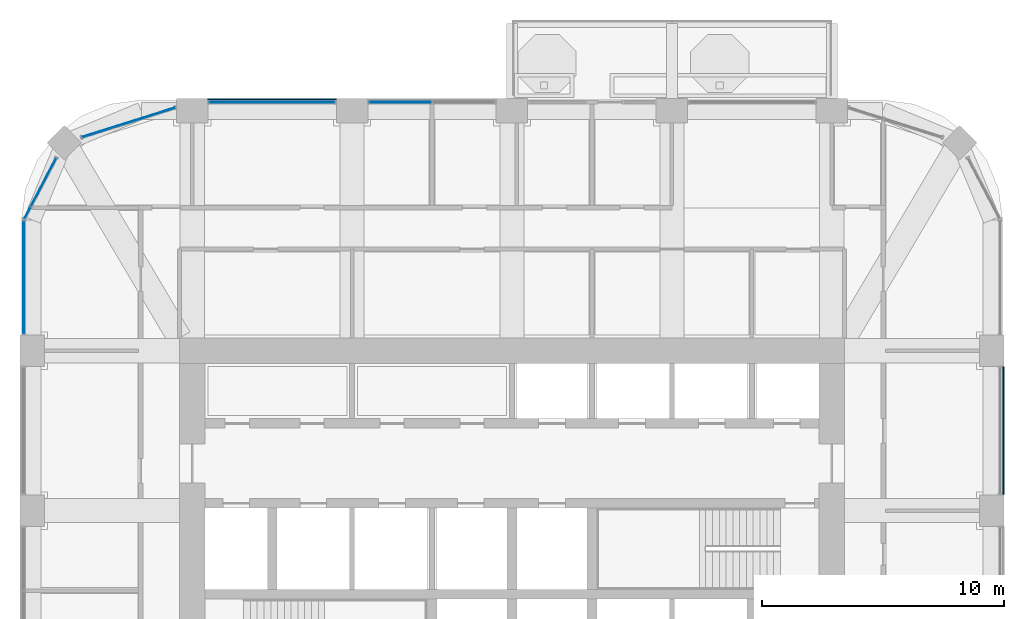
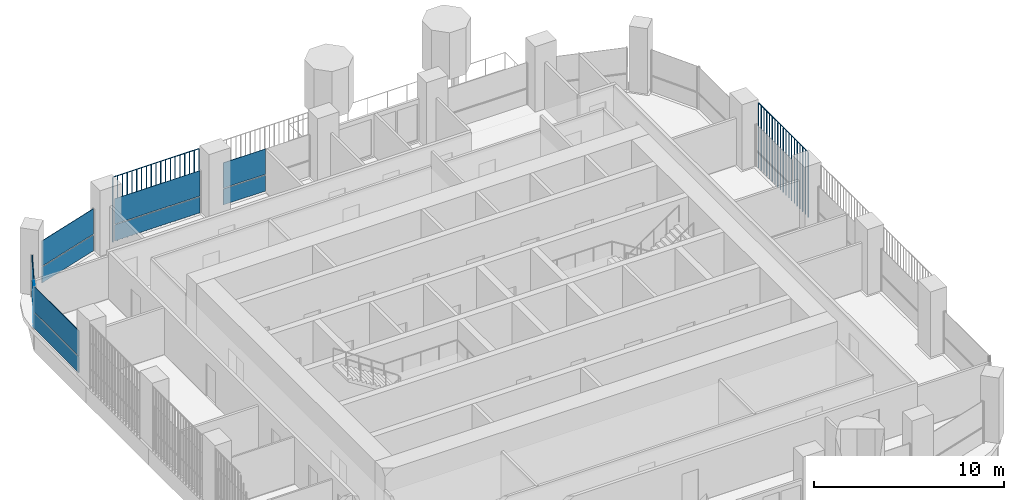
# One storey, part 12 of 21: 14 plates, 5 elements without a shape of their own.
"""IFC4 building model written with IfcOpenShell, lengths in metres."""

import ifcopenshell
import ifcopenshell.guid

model = None  # the IFC model being written
_history = None  # IfcOwnerHistory: only IFC2X3 demands one
_inside = {}  # id of a spatial element -> (the spatial element, [elements in it])
_under = {}  # id of a project, library or spatial element -> (it, [spatial elements below it])
_declared = {}  # id of a project -> (the project, [libraries it declares])
_typed = {}  # id of a type object -> (the type object, [elements of that type])
_made_of = {}  # id of a material, layer set ... -> (it, [elements and type objects made of it])


def new_model(schema):
    """Start an empty IFC model of exactly this schema.

    Asked for "IFC4X3", IfcOpenShell would pick the latest addendum, in which some entities
    have other attributes; the version numbers below select the first issue.
    IFC2X3 requires an IfcOwnerHistory on every rooted entity: one is made here for all.
    """
    global model, _history
    if schema == "IFC4X3":
        model = ifcopenshell.file(schema_version=(4, 3, 0, 0))
    else:
        model = ifcopenshell.file(schema=schema)
    _inside.clear()
    _under.clear()
    _declared.clear()
    _typed.clear()
    _made_of.clear()
    _history = None
    if model.schema == "IFC2X3":
        org = make("IfcOrganization", Name="unknown")
        user = make(
            "IfcPersonAndOrganization",
            ThePerson=make("IfcPerson", FamilyName="unknown"),
            TheOrganization=org,
        )
        app = make(
            "IfcApplication",
            ApplicationDeveloper=org,
            Version="unknown",
            ApplicationFullName="unknown",
            ApplicationIdentifier="unknown",
        )
        _history = make(
            "IfcOwnerHistory",
            OwningUser=user,
            OwningApplication=app,
            ChangeAction="ADDED",
            CreationDate=0,
        )
    return model


def make(cls, **values):
    """One entity of the class cls with the attributes given. An attribute that is None is left unset."""
    return model.create_entity(
        cls, **{name: value for name, value in values.items() if value is not None}
    )


def rooted(cls, **values):
    """An entity with a GlobalId (a new one), such as an element, a storey or a relation."""
    return make(cls, GlobalId=ifcopenshell.guid.new(), OwnerHistory=_history, **values)


def si_unit(unit_type, name, prefix=None):
    """IfcSIUnit, for example si_unit("LENGTHUNIT", "METRE", prefix="MILLI")."""
    return make("IfcSIUnit", UnitType=unit_type, Prefix=prefix, Name=name)


def assignment(units):
    """IfcUnitAssignment: the units of a project."""
    return None if units is None else make("IfcUnitAssignment", Units=units)


def point(xyz):
    """IfcCartesianPoint."""
    return None if xyz is None else make("IfcCartesianPoint", Coordinates=xyz)


def direction(xyz):
    """IfcDirection."""
    return None if xyz is None else make("IfcDirection", DirectionRatios=xyz)


def frame(location, z_axis=None, x_axis=None):
    """IfcAxis2Placement3D, a coordinate frame: its origin and axes. An axis left out is left unset."""
    return make(
        "IfcAxis2Placement3D",
        Location=point(location),
        Axis=direction(z_axis),
        RefDirection=direction(x_axis),
    )


def frame_2d(location, x_axis=None):
    """IfcAxis2Placement2D, a coordinate frame in the plane: its origin and x axis."""
    return make(
        "IfcAxis2Placement2D", Location=point(location), RefDirection=direction(x_axis)
    )


def origin():
    """The frame at (0, 0, 0) with its axes left unset."""
    return frame((0.0, 0.0, 0.0))


def origin_2d():
    """The frame at (0, 0) in the plane with its x axis left unset."""
    return frame_2d((0.0, 0.0))


def place(relative_to, where):
    """IfcLocalPlacement: puts the frame where relative to a parent placement (None: the world)."""
    return make(
        "IfcLocalPlacement", PlacementRelTo=relative_to, RelativePlacement=where
    )


def context(
    kind, dimensions, precision=None, world=None, true_north=None, identifier=None
):
    """IfcGeometricRepresentationContext, for example the 3D "Model" context."""
    return make(
        "IfcGeometricRepresentationContext",
        ContextIdentifier=identifier,
        ContextType=kind,
        CoordinateSpaceDimension=dimensions,
        Precision=precision,
        WorldCoordinateSystem=world,
        TrueNorth=true_north,
    )


def subcontext(parent, identifier, kind, view, scale=None):
    """IfcGeometricRepresentationSubContext, for example "Body" below "Model"."""
    return make(
        "IfcGeometricRepresentationSubContext",
        ContextIdentifier=identifier,
        ContextType=kind,
        ParentContext=parent,
        TargetScale=scale,
        TargetView=view,
    )


def project(units=None, contexts=None):
    """IfcProject with its units and contexts."""
    return rooted(
        "IfcProject",
        Name="project",
        RepresentationContexts=contexts,
        UnitsInContext=assignment(units),
    )


def spatial(cls, under=None, at=None, **own):
    """A site, building, storey or space (cls), placed at a placement, below another one or the project."""
    s = rooted(cls, ObjectPlacement=at, **own)
    if under is not None:
        _under.setdefault(under.id(), (under, []))[1].append(s)
    return s


def polyline(points):
    """IfcPolyline through the points."""
    return make("IfcPolyline", Points=[point(p) for p in points])


def profile(cls, at=None, kind="AREA", **sizes):
    """A parametric profile (cls). Its sizes go by their IFC names, for example OverallWidth=200.0."""
    return make(cls, ProfileType=kind, Position=at, **sizes)


def rectangle(**sizes):
    """IfcRectangleProfileDef."""
    return profile("IfcRectangleProfileDef", **sizes)


def outline(outer, holes=None, kind="AREA"):
    """IfcArbitraryClosedProfileDef: a profile drawn as a closed curve; with holes, ...WithVoids."""
    if holes is None:
        return make("IfcArbitraryClosedProfileDef", ProfileType=kind, OuterCurve=outer)
    return make(
        "IfcArbitraryProfileDefWithVoids",
        ProfileType=kind,
        OuterCurve=outer,
        InnerCurves=holes,
    )


def extrude(swept, where, along, depth):
    """IfcExtrudedAreaSolid: the profile swept, set in the frame where, extruded along a direction by depth."""
    return make(
        "IfcExtrudedAreaSolid",
        SweptArea=swept,
        Position=where,
        ExtrudedDirection=direction(along),
        Depth=depth,
    )


def shape(context_of_items, identifier, shape_type, items):
    """IfcShapeRepresentation: the items that make up one representation, for example the "Body"."""
    return make(
        "IfcShapeRepresentation",
        ContextOfItems=context_of_items,
        RepresentationIdentifier=identifier,
        RepresentationType=shape_type,
        Items=items,
    )


def material(Name=None, Category=None):
    """IfcMaterial."""
    return make("IfcMaterial", Name=Name, Category=Category)


def layer(
    of_material, thickness, ventilated=None, Name=None, Category=None, Priority=None
):
    """IfcMaterialLayer: one layer of a wall or slab, of a material (None: an air gap)."""
    return make(
        "IfcMaterialLayer",
        Material=of_material,
        LayerThickness=thickness,
        IsVentilated=ventilated,
        Name=Name,
        Category=Category,
        Priority=Priority,
    )


def layer_set(layers, Name=None):
    """IfcMaterialLayerSet."""
    return make("IfcMaterialLayerSet", MaterialLayers=layers, LayerSetName=Name)


def made_of(thing, what):
    """Note that an element or type object is made of a material, layer set ...; save() writes the relation."""
    if what is not None:
        _made_of.setdefault(what.id(), (what, []))[1].append(thing)
    return thing


def type_object(cls, material=None, **own):
    """A type object (cls), such as IfcWallType, which elements share."""
    return made_of(rooted(cls, **own), material)


def element(
    cls,
    number,
    at=None,
    inside=None,
    cuts=None,
    type_object=None,
    material=None,
    context=None,
    identifier="Body",
    shape_type=None,
    held_by="IfcProductDefinitionShape",
    body=None,
    shapes=None,
    **own,
):
    """One element of the class cls, such as IfcWall. Its Tag is "e" and its number.

    at: its placement. inside: the storey or other place that contains it. cuts: it is an
    opening in that element (IfcRelVoidsElement). A single representation is given by context,
    identifier, shape_type and body (its items); several are given by shapes. held_by: the class
    of the entity that holds the representations. save() writes the other relations.
    """
    e = rooted(cls, Tag="e%d" % number, ObjectPlacement=at, **own)
    if body is not None:
        shapes = [shape(context, identifier, shape_type, body)]
    if shapes is not None:
        e.Representation = make(held_by, Representations=shapes)
    if inside is not None:
        _inside.setdefault(inside.id(), (inside, []))[1].append(e)
    if cuts is not None:
        rooted(
            "IfcRelVoidsElement", RelatingBuildingElement=cuts, RelatedOpeningElement=e
        )
    if type_object is not None:
        _typed.setdefault(type_object.id(), (type_object, []))[1].append(e)
    return made_of(e, material)


def aggregate(whole, parts):
    """IfcRelAggregates: a whole, such as a stair, and the parts it consists of."""
    return rooted("IfcRelAggregates", RelatingObject=whole, RelatedObjects=parts)


def save(model, path):
    """Write the relations noted so far, then the file.

    IfcRelAggregates (storeys below a building ...), IfcRelContainedInSpatialStructure (elements
    in a storey), IfcRelDefinesByType, IfcRelAssociatesMaterial and IfcRelDeclares: one each for
    every whole, place, type object, material and project.
    """
    for whole, parts in _under.values():
        aggregate(whole, parts)
    for where, things in _inside.values():
        rooted(
            "IfcRelContainedInSpatialStructure",
            RelatedElements=things,
            RelatingStructure=where,
        )
    for kind, things in _typed.values():
        rooted("IfcRelDefinesByType", RelatedObjects=things, RelatingType=kind)
    for what, things in _made_of.values():
        rooted("IfcRelAssociatesMaterial", RelatedObjects=things, RelatingMaterial=what)
    for by, libraries in _declared.values():
        rooted("IfcRelDeclares", RelatingContext=by, RelatedDefinitions=libraries)
    model.write(path)


model = new_model("IFC4")

# Units and contexts
model_context = context("Model", 3, precision=1e-05, world=origin(), true_north=direction((0.0, 1.0)))
body_context = subcontext(model_context, "Body", "Model", "MODEL_VIEW")
ifc_project = project(units=[si_unit("LENGTHUNIT", "METRE"), si_unit("AREAUNIT", "SQUARE_METRE"), si_unit("VOLUMEUNIT", "CUBIC_METRE"), si_unit("PLANEANGLEUNIT", "RADIAN"), si_unit("MASSUNIT", "GRAM", prefix="KILO")], contexts=[model_context])

# Site, building, storey
site_placement = place(None, origin())
site = spatial("IfcSite", under=ifc_project, at=site_placement, CompositionType="ELEMENT")
building_placement = place(site_placement, origin())
building = spatial("IfcBuilding", under=site, at=building_placement, Name="Cobogo Forest Laboratory Tower", CompositionType="ELEMENT")
storey_placement = place(building_placement, frame((0.0, 0.0, 241.800048828125)))
storey = spatial("IfcBuildingStorey", under=building, at=storey_placement, Name="L55", CompositionType="ELEMENT", Elevation=241.800048828125)

# Curtain wall, plates
ifc_material_1 = material(Name="Aluminium curtain wall", Category="aluminium")
curtain_wall_type = type_object("IfcCurtainWallType", Name="CW-2 unitised curtain wall, solar control glazing, laboratory floors zones C and D", PredefinedType="USERDEFINED", material=ifc_material_1)
curtain_wall_1_placement = place(storey_placement, origin())
curtain_wall_1 = element("IfcCurtainWall", 1, at=curtain_wall_1_placement, inside=storey, type_object=curtain_wall_type, Name="Curtain wall 16 L55", ObjectType="UNITISED CURTAIN WALL", PredefinedType="USERDEFINED")
ifc_material_2 = material(Name="Solar control insulated glass", Category="glass")
ifc_layer = layer(ifc_material_2, 0.031982421875)
ifc_layer_set = layer_set([ifc_layer], Name="GP-2 solar control glass unit 32")
plate_type_1 = type_object("IfcPlateType", Name="GP-2 solar control glass unit 32", PredefinedType="CURTAIN_PANEL", material=ifc_layer_set)
plate_1_placement = place(storey_placement, frame((21.7900390625, 43.25, 0.0), z_axis=(0.0, 0.0, 1.0), x_axis=(-1.0, 0.0, 0.0)))
plate_1 = element("IfcPlate", 2, at=plate_1_placement, type_object=plate_type_1, Name="CW-2 panel 2.1", PredefinedType="CURTAIN_PANEL", context=body_context, shape_type="SweptSolid", body=[
    extrude(rectangle(XDim=2.56005859375, YDim=0.031982421875, at=origin_2d()), origin(), (0.0, 0.0, 1.0), 1.02001953125),
])
plate_2_placement = place(storey_placement, frame((21.7900390625, 43.25, 1.079833984375), z_axis=(0.0, 0.0, 1.0), x_axis=(-1.0, 0.0, 0.0)))
plate_2 = element("IfcPlate", 3, at=plate_2_placement, type_object=plate_type_1, Name="CW-2 panel 2.2", PredefinedType="CURTAIN_PANEL", context=body_context, shape_type="SweptSolid", body=[
    extrude(rectangle(XDim=2.56005859375, YDim=0.031982421875, at=origin_2d()), origin(), (0.0, 0.0, 1.0), 1.6201171875),
])
aggregate(curtain_wall_1, [plate_1, plate_2])

curtain_wall_2_placement = place(storey_placement, origin())
curtain_wall_2 = element("IfcCurtainWall", 4, at=curtain_wall_2_placement, inside=storey, type_object=curtain_wall_type, Name="Curtain wall 17 L55", ObjectType="UNITISED CURTAIN WALL", PredefinedType="USERDEFINED")
plate_3_placement = place(storey_placement, frame((16.5, 43.25, 0.0), z_axis=(0.0, 0.0, 1.0), x_axis=(-1.0, 0.0, 0.0)))
plate_3 = element("IfcPlate", 5, at=plate_3_placement, type_object=plate_type_1, Name="CW-2 panel 1.1", PredefinedType="CURTAIN_PANEL", context=body_context, shape_type="SweptSolid", body=[
    extrude(rectangle(XDim=5.179931640625, YDim=0.031982421875, at=origin_2d()), origin(), (0.0, 0.0, 1.0), 1.02001953125),
])
plate_4_placement = place(storey_placement, frame((16.5, 43.25, 1.079833984375), z_axis=(0.0, 0.0, 1.0), x_axis=(-1.0, 0.0, 0.0)))
plate_4 = element("IfcPlate", 6, at=plate_4_placement, type_object=plate_type_1, Name="CW-2 panel 1.2", PredefinedType="CURTAIN_PANEL", context=body_context, shape_type="SweptSolid", body=[
    extrude(rectangle(XDim=5.179931640625, YDim=0.031982421875, at=origin_2d()), origin(), (0.0, 0.0, 1.0), 1.6201171875),
])
aggregate(curtain_wall_2, [plate_3, plate_4])

curtain_wall_3_placement = place(storey_placement, origin())
curtain_wall_3 = element("IfcCurtainWall", 7, at=curtain_wall_3_placement, inside=storey, type_object=curtain_wall_type, Name="Curtain wall 18 L55", ObjectType="UNITISED CURTAIN WALL", PredefinedType="USERDEFINED")
plate_5_placement = place(storey_placement, frame((10.572509765625, 42.420166015625, 0.0), z_axis=(0.0, 0.0, 1.0), x_axis=(-0.953581386052, -0.301135418334, 0.0)))
plate_5 = element("IfcPlate", 8, at=plate_5_placement, type_object=plate_type_1, Name="CW-2 panel 1.1", PredefinedType="CURTAIN_PANEL", context=body_context, shape_type="SweptSolid", body=[
    extrude(rectangle(XDim=4.02734375, YDim=0.031982421875, at=origin_2d()), origin(), (0.0, 0.0, 1.0), 1.02001953125),
])
plate_6_placement = place(storey_placement, frame((10.572509765625, 42.420166015625, 1.079833984375), z_axis=(0.0, 0.0, 1.0), x_axis=(-0.953581386052, -0.301135418334, 0.0)))
plate_6 = element("IfcPlate", 9, at=plate_6_placement, type_object=plate_type_1, Name="CW-2 panel 1.2", PredefinedType="CURTAIN_PANEL", context=body_context, shape_type="SweptSolid", body=[
    extrude(rectangle(XDim=4.02734375, YDim=0.031982421875, at=origin_2d()), origin(), (0.0, 0.0, 1.0), 1.6201171875),
])
aggregate(curtain_wall_3, [plate_5, plate_6])

curtain_wall_4_placement = place(storey_placement, origin())
curtain_wall_4 = element("IfcCurtainWall", 10, at=curtain_wall_4_placement, inside=storey, type_object=curtain_wall_type, Name="Curtain wall 19 L55", ObjectType="UNITISED CURTAIN WALL", PredefinedType="USERDEFINED")
plate_7_placement = place(storey_placement, frame((7.064697265625, 39.9541015625, 0.0), z_axis=(0.0, 0.0, 1.0), x_axis=(-0.464283791352, -0.885686491422, 0.0)))
plate_7 = element("IfcPlate", 11, at=plate_7_placement, type_object=plate_type_1, Name="CW-2 panel 1.1", PredefinedType="CURTAIN_PANEL", context=body_context, shape_type="SweptSolid", body=[
    extrude(rectangle(XDim=2.236328125, YDim=0.031982421875, at=origin_2d()), origin(), (0.0, 0.0, 1.0), 1.02001953125),
])
plate_8_placement = place(storey_placement, frame((7.064697265625, 39.9541015625, 1.079833984375), z_axis=(0.0, 0.0, 1.0), x_axis=(-0.464283791352, -0.885686491422, 0.0)))
plate_8 = element("IfcPlate", 12, at=plate_8_placement, type_object=plate_type_1, Name="CW-2 panel 1.2", PredefinedType="CURTAIN_PANEL", context=body_context, shape_type="SweptSolid", body=[
    extrude(rectangle(XDim=2.236328125, YDim=0.031982421875, at=origin_2d()), origin(), (0.0, 0.0, 1.0), 1.6201171875),
])
plate_9_placement = place(storey_placement, frame((6.397705078125, 38.681884765625, 0.0), z_axis=(0.0, 0.0, 1.0), x_axis=(-0.464283791352, -0.885686491422, 0.0)))
plate_9 = element("IfcPlate", 13, at=plate_9_placement, type_object=plate_type_1, Name="CW-2 panel 2.1", PredefinedType="CURTAIN_PANEL", context=body_context, shape_type="SweptSolid", body=[
    extrude(rectangle(XDim=0.516357421875, YDim=0.031982421875, at=origin_2d()), origin(), (0.0, 0.0, 1.0), 1.02001953125),
])
plate_10_placement = place(storey_placement, frame((6.397705078125, 38.681884765625, 1.079833984375), z_axis=(0.0, 0.0, 1.0), x_axis=(-0.464283791352, -0.885686491422, 0.0)))
plate_10 = element("IfcPlate", 14, at=plate_10_placement, type_object=plate_type_1, Name="CW-2 panel 2.2", PredefinedType="CURTAIN_PANEL", context=body_context, shape_type="SweptSolid", body=[
    extrude(rectangle(XDim=0.516357421875, YDim=0.031982421875, at=origin_2d()), origin(), (0.0, 0.0, 1.0), 1.6201171875),
])
aggregate(curtain_wall_4, [plate_7, plate_8, plate_9, plate_10])

curtain_wall_5_placement = place(storey_placement, origin())
curtain_wall_5 = element("IfcCurtainWall", 15, at=curtain_wall_5_placement, inside=storey, type_object=curtain_wall_type, Name="Curtain wall 20 L55", ObjectType="UNITISED CURTAIN WALL", PredefinedType="USERDEFINED")
plate_11_placement = place(storey_placement, frame((6.25, 36.02490234375, 0.0), z_axis=(0.0, 0.0, 1.0), x_axis=(0.0, -1.0, 0.0)))
plate_11 = element("IfcPlate", 16, at=plate_11_placement, type_object=plate_type_1, Name="CW-2 panel 1.1", PredefinedType="CURTAIN_PANEL", context=body_context, shape_type="SweptSolid", body=[
    extrude(rectangle(XDim=4.6298828125, YDim=0.031982421875, at=origin_2d()), origin(), (0.0, 0.0, 1.0), 1.02001953125),
])
plate_12_placement = place(storey_placement, frame((6.25, 36.02490234375, 1.079833984375), z_axis=(0.0, 0.0, 1.0), x_axis=(0.0, -1.0, 0.0)))
plate_12 = element("IfcPlate", 17, at=plate_12_placement, type_object=plate_type_1, Name="CW-2 panel 1.2", PredefinedType="CURTAIN_PANEL", context=body_context, shape_type="SweptSolid", body=[
    extrude(rectangle(XDim=4.6298828125, YDim=0.031982421875, at=origin_2d()), origin(), (0.0, 0.0, 1.0), 1.6201171875),
])
aggregate(curtain_wall_5, [plate_11, plate_12])

# Plates
ifc_material_3 = material(Name="Terracotta", Category="masonry")
plate_type_2 = type_object("IfcPlateType", Name="TB1 terracotta baguette screen", PredefinedType="USERDEFINED", material=ifc_material_3)
plate_13_placement = place(storey_placement, frame((46.677978515625, 27.081298828125, -0.150146484375)))
element("IfcPlate", 18, at=plate_13_placement, inside=storey, type_object=plate_type_2, Name="Baguette screen E3 L55", ObjectType="BAGUETTE SCREEN", PredefinedType="USERDEFINED", context=body_context, shape_type="SweptSolid", body=[
    extrude(outline(polyline([(0.02880859375, 0.011962890625), (0.011962890625, 0.02880859375), (-0.011962890625, 0.02880859375), (-0.02880859375, 0.011962890625), (-0.02880859375, -0.011962890625), (-0.011962890625, -0.02880859375), (0.011962890625, -0.02880859375), (0.02880859375, -0.011962890625), (0.02880859375, 0.011962890625)])), frame((0.0, 0.0, 4.168701171875), z_axis=(0.0, 1.0, 0.0), x_axis=(-1.0, 0.0, 0.0)), (0.0, 0.0, 1.0), 5.237548828125),
    extrude(outline(polyline([(0.02880859375, 0.011962890625), (0.011962890625, 0.02880859375), (-0.011962890625, 0.02880859375), (-0.02880859375, 0.011962890625), (-0.02880859375, -0.011962890625), (-0.011962890625, -0.02880859375), (0.011962890625, -0.02880859375), (0.02880859375, -0.011962890625), (0.02880859375, 0.011962890625)])), origin(), (0.0, 0.0, 1.0), 4.137451171875),
    extrude(outline(polyline([(0.02880859375, 0.011962890625), (0.011962890625, 0.02880859375), (-0.011962890625, 0.02880859375), (-0.02880859375, 0.011962890625), (-0.02880859375, -0.011962890625), (-0.011962890625, -0.02880859375), (0.011962890625, -0.02880859375), (0.02880859375, -0.011962890625), (0.02880859375, 0.011962890625)])), frame((0.0, 0.291015625, 0.0)), (0.0, 0.0, 1.0), 4.137451171875),
    extrude(outline(polyline([(0.02880859375, 0.011962890625), (0.011962890625, 0.02880859375), (-0.011962890625, 0.02880859375), (-0.02880859375, 0.011962890625), (-0.02880859375, -0.011962890625), (-0.011962890625, -0.02880859375), (0.011962890625, -0.02880859375), (0.02880859375, -0.011962890625), (0.02880859375, 0.011962890625)])), frame((0.0, 0.58203125, 0.0)), (0.0, 0.0, 1.0), 4.137451171875),
    extrude(outline(polyline([(0.02880859375, 0.011962890625), (0.011962890625, 0.02880859375), (-0.011962890625, 0.02880859375), (-0.02880859375, 0.011962890625), (-0.02880859375, -0.011962890625), (-0.011962890625, -0.02880859375), (0.011962890625, -0.02880859375), (0.02880859375, -0.011962890625), (0.02880859375, 0.011962890625)])), frame((0.0, 0.873046875, 0.0)), (0.0, 0.0, 1.0), 4.137451171875),
    extrude(outline(polyline([(0.02880859375, 0.011962890625), (0.011962890625, 0.02880859375), (-0.011962890625, 0.02880859375), (-0.02880859375, 0.011962890625), (-0.02880859375, -0.011962890625), (-0.011962890625, -0.02880859375), (0.011962890625, -0.02880859375), (0.02880859375, -0.011962890625), (0.02880859375, 0.011962890625)])), frame((0.0, 1.163818359375, 0.0)), (0.0, 0.0, 1.0), 4.137451171875),
    extrude(outline(polyline([(0.02880859375, 0.011962890625), (0.011962890625, 0.02880859375), (-0.011962890625, 0.02880859375), (-0.02880859375, 0.011962890625), (-0.02880859375, -0.011962890625), (-0.011962890625, -0.02880859375), (0.011962890625, -0.02880859375), (0.02880859375, -0.011962890625), (0.02880859375, 0.011962890625)])), frame((0.0, 1.454833984375, 0.0)), (0.0, 0.0, 1.0), 4.137451171875),
    extrude(outline(polyline([(0.02880859375, 0.011962890625), (0.011962890625, 0.02880859375), (-0.011962890625, 0.02880859375), (-0.02880859375, 0.011962890625), (-0.02880859375, -0.011962890625), (-0.011962890625, -0.02880859375), (0.011962890625, -0.02880859375), (0.02880859375, -0.011962890625), (0.02880859375, 0.011962890625)])), frame((0.0, 1.745849609375, 0.0)), (0.0, 0.0, 1.0), 4.137451171875),
    extrude(outline(polyline([(0.02880859375, 0.011962890625), (0.011962890625, 0.02880859375), (-0.011962890625, 0.02880859375), (-0.02880859375, 0.011962890625), (-0.02880859375, -0.011962890625), (-0.011962890625, -0.02880859375), (0.011962890625, -0.02880859375), (0.02880859375, -0.011962890625), (0.02880859375, 0.011962890625)])), frame((0.0, 2.036865234375, 0.0)), (0.0, 0.0, 1.0), 4.137451171875),
    extrude(outline(polyline([(0.02880859375, 0.011962890625), (0.011962890625, 0.02880859375), (-0.011962890625, 0.02880859375), (-0.02880859375, 0.011962890625), (-0.02880859375, -0.011962890625), (-0.011962890625, -0.02880859375), (0.011962890625, -0.02880859375), (0.02880859375, -0.011962890625), (0.02880859375, 0.011962890625)])), frame((0.0, 2.327880859375, 0.0)), (0.0, 0.0, 1.0), 4.137451171875),
    extrude(outline(polyline([(0.02880859375, 0.011962890625), (0.011962890625, 0.02880859375), (-0.011962890625, 0.02880859375), (-0.02880859375, 0.011962890625), (-0.02880859375, -0.011962890625), (-0.011962890625, -0.02880859375), (0.011962890625, -0.02880859375), (0.02880859375, -0.011962890625), (0.02880859375, 0.011962890625)])), frame((0.0, 2.61865234375, 0.0)), (0.0, 0.0, 1.0), 4.137451171875),
    extrude(outline(polyline([(0.02880859375, 0.011962890625), (0.011962890625, 0.02880859375), (-0.011962890625, 0.02880859375), (-0.02880859375, 0.011962890625), (-0.02880859375, -0.011962890625), (-0.011962890625, -0.02880859375), (0.011962890625, -0.02880859375), (0.02880859375, -0.011962890625), (0.02880859375, 0.011962890625)])), frame((0.0, 2.90966796875, 0.0)), (0.0, 0.0, 1.0), 4.137451171875),
    extrude(outline(polyline([(0.02880859375, 0.011962890625), (0.011962890625, 0.02880859375), (-0.011962890625, 0.02880859375), (-0.02880859375, 0.011962890625), (-0.02880859375, -0.011962890625), (-0.011962890625, -0.02880859375), (0.011962890625, -0.02880859375), (0.02880859375, -0.011962890625), (0.02880859375, 0.011962890625)])), frame((0.0, 3.20068359375, 0.0)), (0.0, 0.0, 1.0), 4.137451171875),
    extrude(outline(polyline([(0.02880859375, 0.011962890625), (0.011962890625, 0.02880859375), (-0.011962890625, 0.02880859375), (-0.02880859375, 0.011962890625), (-0.02880859375, -0.011962890625), (-0.011962890625, -0.02880859375), (0.011962890625, -0.02880859375), (0.02880859375, -0.011962890625), (0.02880859375, 0.011962890625)])), frame((0.0, 3.49169921875, 0.0)), (0.0, 0.0, 1.0), 4.137451171875),
    extrude(outline(polyline([(0.02880859375, 0.011962890625), (0.011962890625, 0.02880859375), (-0.011962890625, 0.02880859375), (-0.02880859375, 0.011962890625), (-0.02880859375, -0.011962890625), (-0.011962890625, -0.02880859375), (0.011962890625, -0.02880859375), (0.02880859375, -0.011962890625), (0.02880859375, 0.011962890625)])), frame((0.0, 3.78271484375, 0.0)), (0.0, 0.0, 1.0), 4.137451171875),
    extrude(outline(polyline([(0.02880859375, 0.011962890625), (0.011962890625, 0.02880859375), (-0.011962890625, 0.02880859375), (-0.02880859375, 0.011962890625), (-0.02880859375, -0.011962890625), (-0.011962890625, -0.02880859375), (0.011962890625, -0.02880859375), (0.02880859375, -0.011962890625), (0.02880859375, 0.011962890625)])), frame((0.0, 4.07373046875, 0.0)), (0.0, 0.0, 1.0), 4.137451171875),
    extrude(outline(polyline([(0.02880859375, 0.011962890625), (0.011962890625, 0.02880859375), (-0.011962890625, 0.02880859375), (-0.02880859375, 0.011962890625), (-0.02880859375, -0.011962890625), (-0.011962890625, -0.02880859375), (0.011962890625, -0.02880859375), (0.02880859375, -0.011962890625), (0.02880859375, 0.011962890625)])), frame((0.0, 4.36474609375, 0.0)), (0.0, 0.0, 1.0), 4.137451171875),
    extrude(outline(polyline([(0.02880859375, 0.011962890625), (0.011962890625, 0.02880859375), (-0.011962890625, 0.02880859375), (-0.02880859375, 0.011962890625), (-0.02880859375, -0.011962890625), (-0.011962890625, -0.02880859375), (0.011962890625, -0.02880859375), (0.02880859375, -0.011962890625), (0.02880859375, 0.011962890625)])), frame((0.0, 4.655517578125, 0.0)), (0.0, 0.0, 1.0), 4.137451171875),
    extrude(outline(polyline([(0.02880859375, 0.011962890625), (0.011962890625, 0.02880859375), (-0.011962890625, 0.02880859375), (-0.02880859375, 0.011962890625), (-0.02880859375, -0.011962890625), (-0.011962890625, -0.02880859375), (0.011962890625, -0.02880859375), (0.02880859375, -0.011962890625), (0.02880859375, 0.011962890625)])), frame((0.0, 4.946533203125, 0.0)), (0.0, 0.0, 1.0), 4.137451171875),
    extrude(outline(polyline([(0.02880859375, 0.011962890625), (0.011962890625, 0.02880859375), (-0.011962890625, 0.02880859375), (-0.02880859375, 0.011962890625), (-0.02880859375, -0.011962890625), (-0.011962890625, -0.02880859375), (0.011962890625, -0.02880859375), (0.02880859375, -0.011962890625), (0.02880859375, 0.011962890625)])), frame((0.0, 5.237548828125, 0.0)), (0.0, 0.0, 1.0), 4.137451171875),
])
plate_14_placement = place(storey_placement, frame((13.88134765625, 43.3779296875, -0.150146484375)))
element("IfcPlate", 19, at=plate_14_placement, inside=storey, type_object=plate_type_2, Name="Baguette screen N1 L55", ObjectType="BAGUETTE SCREEN", PredefinedType="USERDEFINED", context=body_context, shape_type="SweptSolid", body=[
    extrude(outline(polyline([(0.02880859375, 0.011962890625), (0.011962890625, 0.02880859375), (-0.011962890625, 0.02880859375), (-0.02880859375, 0.011962890625), (-0.02880859375, -0.011962890625), (-0.011962890625, -0.02880859375), (0.011962890625, -0.02880859375), (0.02880859375, -0.011962890625), (0.02880859375, 0.011962890625)])), frame((0.0, 0.0, 4.168701171875), z_axis=(1.0, 0.0, 0.0), x_axis=(0.0, 1.0, 0.0)), (0.0, 0.0, 1.0), 5.2373046875),
    extrude(outline(polyline([(0.02880859375, 0.011962890625), (0.011962890625, 0.02880859375), (-0.011962890625, 0.02880859375), (-0.02880859375, 0.011962890625), (-0.02880859375, -0.011962890625), (-0.011962890625, -0.02880859375), (0.011962890625, -0.02880859375), (0.02880859375, -0.011962890625), (0.02880859375, 0.011962890625)])), origin(), (0.0, 0.0, 1.0), 4.137451171875),
    extrude(outline(polyline([(0.02880859375, 0.011962890625), (0.011962890625, 0.02880859375), (-0.011962890625, 0.02880859375), (-0.02880859375, 0.011962890625), (-0.02880859375, -0.011962890625), (-0.011962890625, -0.02880859375), (0.011962890625, -0.02880859375), (0.02880859375, -0.011962890625), (0.02880859375, 0.011962890625)])), frame((0.291015625, 0.0, 0.0)), (0.0, 0.0, 1.0), 4.137451171875),
    extrude(outline(polyline([(0.02880859375, 0.011962890625), (0.011962890625, 0.02880859375), (-0.011962890625, 0.02880859375), (-0.02880859375, 0.011962890625), (-0.02880859375, -0.011962890625), (-0.011962890625, -0.02880859375), (0.011962890625, -0.02880859375), (0.02880859375, -0.011962890625), (0.02880859375, 0.011962890625)])), frame((0.58203125, 0.0, 0.0)), (0.0, 0.0, 1.0), 4.137451171875),
    extrude(outline(polyline([(0.02880859375, 0.011962890625), (0.011962890625, 0.02880859375), (-0.011962890625, 0.02880859375), (-0.02880859375, 0.011962890625), (-0.02880859375, -0.011962890625), (-0.011962890625, -0.02880859375), (0.011962890625, -0.02880859375), (0.02880859375, -0.011962890625), (0.02880859375, 0.011962890625)])), frame((0.872802734375, 0.0, 0.0)), (0.0, 0.0, 1.0), 4.137451171875),
    extrude(outline(polyline([(0.02880859375, 0.011962890625), (0.011962890625, 0.02880859375), (-0.011962890625, 0.02880859375), (-0.02880859375, 0.011962890625), (-0.02880859375, -0.011962890625), (-0.011962890625, -0.02880859375), (0.011962890625, -0.02880859375), (0.02880859375, -0.011962890625), (0.02880859375, 0.011962890625)])), frame((1.163818359375, 0.0, 0.0)), (0.0, 0.0, 1.0), 4.137451171875),
    extrude(outline(polyline([(0.02880859375, 0.011962890625), (0.011962890625, 0.02880859375), (-0.011962890625, 0.02880859375), (-0.02880859375, 0.011962890625), (-0.02880859375, -0.011962890625), (-0.011962890625, -0.02880859375), (0.011962890625, -0.02880859375), (0.02880859375, -0.011962890625), (0.02880859375, 0.011962890625)])), frame((1.454833984375, 0.0, 0.0)), (0.0, 0.0, 1.0), 4.137451171875),
    extrude(outline(polyline([(0.02880859375, 0.011962890625), (0.011962890625, 0.02880859375), (-0.011962890625, 0.02880859375), (-0.02880859375, 0.011962890625), (-0.02880859375, -0.011962890625), (-0.011962890625, -0.02880859375), (0.011962890625, -0.02880859375), (0.02880859375, -0.011962890625), (0.02880859375, 0.011962890625)])), frame((1.745849609375, 0.0, 0.0)), (0.0, 0.0, 1.0), 4.137451171875),
    extrude(outline(polyline([(0.02880859375, 0.011962890625), (0.011962890625, 0.02880859375), (-0.011962890625, 0.02880859375), (-0.02880859375, 0.011962890625), (-0.02880859375, -0.011962890625), (-0.011962890625, -0.02880859375), (0.011962890625, -0.02880859375), (0.02880859375, -0.011962890625), (0.02880859375, 0.011962890625)])), frame((2.03662109375, 0.0, 0.0)), (0.0, 0.0, 1.0), 4.137451171875),
    extrude(outline(polyline([(0.02880859375, 0.011962890625), (0.011962890625, 0.02880859375), (-0.011962890625, 0.02880859375), (-0.02880859375, 0.011962890625), (-0.02880859375, -0.011962890625), (-0.011962890625, -0.02880859375), (0.011962890625, -0.02880859375), (0.02880859375, -0.011962890625), (0.02880859375, 0.011962890625)])), frame((2.32763671875, 0.0, 0.0)), (0.0, 0.0, 1.0), 4.137451171875),
    extrude(outline(polyline([(0.02880859375, 0.011962890625), (0.011962890625, 0.02880859375), (-0.011962890625, 0.02880859375), (-0.02880859375, 0.011962890625), (-0.02880859375, -0.011962890625), (-0.011962890625, -0.02880859375), (0.011962890625, -0.02880859375), (0.02880859375, -0.011962890625), (0.02880859375, 0.011962890625)])), frame((2.61865234375, 0.0, 0.0)), (0.0, 0.0, 1.0), 4.137451171875),
    extrude(outline(polyline([(0.02880859375, 0.011962890625), (0.011962890625, 0.02880859375), (-0.011962890625, 0.02880859375), (-0.02880859375, 0.011962890625), (-0.02880859375, -0.011962890625), (-0.011962890625, -0.02880859375), (0.011962890625, -0.02880859375), (0.02880859375, -0.011962890625), (0.02880859375, 0.011962890625)])), frame((2.90966796875, 0.0, 0.0)), (0.0, 0.0, 1.0), 4.137451171875),
    extrude(outline(polyline([(0.02880859375, 0.011962890625), (0.011962890625, 0.02880859375), (-0.011962890625, 0.02880859375), (-0.02880859375, 0.011962890625), (-0.02880859375, -0.011962890625), (-0.011962890625, -0.02880859375), (0.011962890625, -0.02880859375), (0.02880859375, -0.011962890625), (0.02880859375, 0.011962890625)])), frame((3.20068359375, 0.0, 0.0)), (0.0, 0.0, 1.0), 4.137451171875),
    extrude(outline(polyline([(0.02880859375, 0.011962890625), (0.011962890625, 0.02880859375), (-0.011962890625, 0.02880859375), (-0.02880859375, 0.011962890625), (-0.02880859375, -0.011962890625), (-0.011962890625, -0.02880859375), (0.011962890625, -0.02880859375), (0.02880859375, -0.011962890625), (0.02880859375, 0.011962890625)])), frame((3.491455078125, 0.0, 0.0)), (0.0, 0.0, 1.0), 4.137451171875),
    extrude(outline(polyline([(0.02880859375, 0.011962890625), (0.011962890625, 0.02880859375), (-0.011962890625, 0.02880859375), (-0.02880859375, 0.011962890625), (-0.02880859375, -0.011962890625), (-0.011962890625, -0.02880859375), (0.011962890625, -0.02880859375), (0.02880859375, -0.011962890625), (0.02880859375, 0.011962890625)])), frame((3.782470703125, 0.0, 0.0)), (0.0, 0.0, 1.0), 4.137451171875),
    extrude(outline(polyline([(0.02880859375, 0.011962890625), (0.011962890625, 0.02880859375), (-0.011962890625, 0.02880859375), (-0.02880859375, 0.011962890625), (-0.02880859375, -0.011962890625), (-0.011962890625, -0.02880859375), (0.011962890625, -0.02880859375), (0.02880859375, -0.011962890625), (0.02880859375, 0.011962890625)])), frame((4.073486328125, 0.0, 0.0)), (0.0, 0.0, 1.0), 4.137451171875),
    extrude(outline(polyline([(0.02880859375, 0.011962890625), (0.011962890625, 0.02880859375), (-0.011962890625, 0.02880859375), (-0.02880859375, 0.011962890625), (-0.02880859375, -0.011962890625), (-0.011962890625, -0.02880859375), (0.011962890625, -0.02880859375), (0.02880859375, -0.011962890625), (0.02880859375, 0.011962890625)])), frame((4.364501953125, 0.0, 0.0)), (0.0, 0.0, 1.0), 4.137451171875),
    extrude(outline(polyline([(0.02880859375, 0.011962890625), (0.011962890625, 0.02880859375), (-0.011962890625, 0.02880859375), (-0.02880859375, 0.011962890625), (-0.02880859375, -0.011962890625), (-0.011962890625, -0.02880859375), (0.011962890625, -0.02880859375), (0.02880859375, -0.011962890625), (0.02880859375, 0.011962890625)])), frame((4.6552734375, 0.0, 0.0)), (0.0, 0.0, 1.0), 4.137451171875),
    extrude(outline(polyline([(0.02880859375, 0.011962890625), (0.011962890625, 0.02880859375), (-0.011962890625, 0.02880859375), (-0.02880859375, 0.011962890625), (-0.02880859375, -0.011962890625), (-0.011962890625, -0.02880859375), (0.011962890625, -0.02880859375), (0.02880859375, -0.011962890625), (0.02880859375, 0.011962890625)])), frame((4.9462890625, 0.0, 0.0)), (0.0, 0.0, 1.0), 4.137451171875),
    extrude(outline(polyline([(0.02880859375, 0.011962890625), (0.011962890625, 0.02880859375), (-0.011962890625, 0.02880859375), (-0.02880859375, 0.011962890625), (-0.02880859375, -0.011962890625), (-0.011962890625, -0.02880859375), (0.011962890625, -0.02880859375), (0.02880859375, -0.011962890625), (0.02880859375, 0.011962890625)])), frame((5.2373046875, 0.0, 0.0)), (0.0, 0.0, 1.0), 4.137451171875),
])

save(model, "model.ifc")
